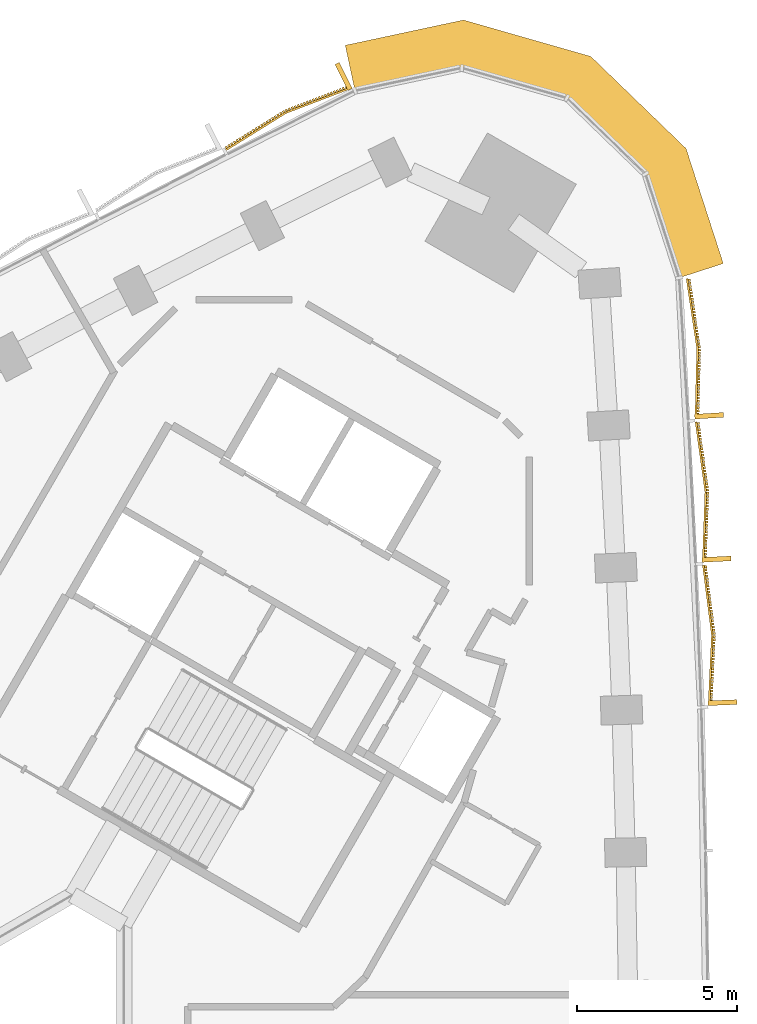
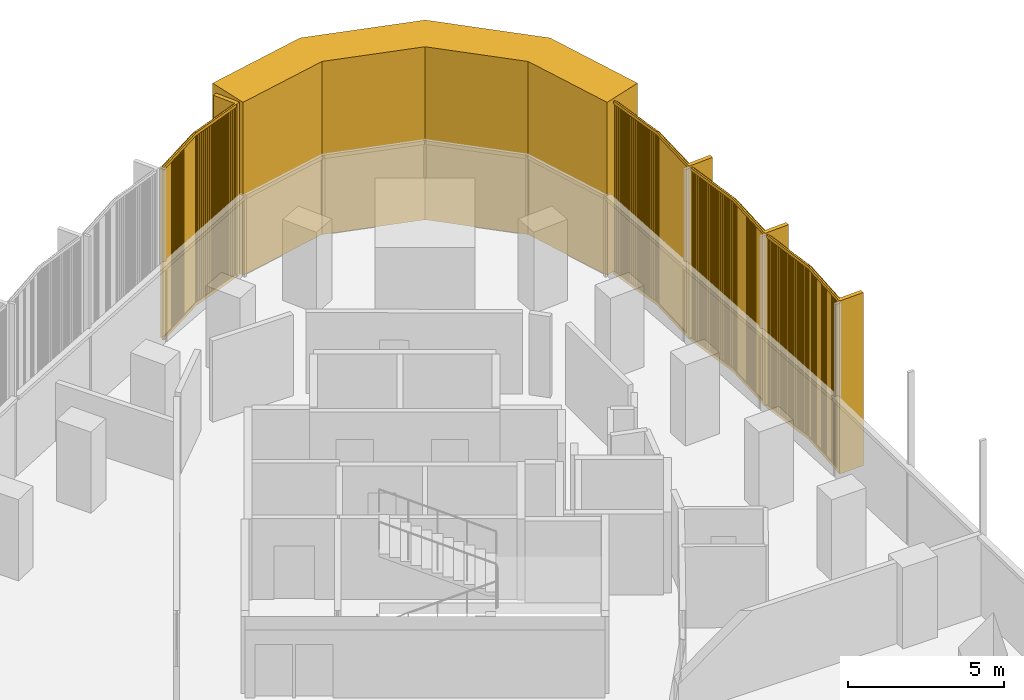
# One storey, part 15 of 15: 5 coverings.
"""IFC4 building model written with IfcOpenShell, lengths in metres."""

from ifc_helpers import new_model, si_unit, direction, frame, frame_2d, origin, place, context, subcontext, project, spatial, polyline, rectangle, outline, extrude, source, transform, mapped, material, layer, layer_set, type_object, element, save


model = new_model("IFC4")

# Units and contexts
model_context = context("Model", 3, precision=1e-05, world=origin(), true_north=direction((0.0, 1.0)))
body_context = subcontext(model_context, "Body", "Model", "MODEL_VIEW")
ifc_project = project(units=[si_unit("LENGTHUNIT", "METRE"), si_unit("AREAUNIT", "SQUARE_METRE"), si_unit("VOLUMEUNIT", "CUBIC_METRE"), si_unit("PLANEANGLEUNIT", "RADIAN"), si_unit("MASSUNIT", "GRAM", prefix="KILO")], contexts=[model_context])

# Site, building, storey
site_placement = place(None, origin())
site = spatial("IfcSite", under=ifc_project, at=site_placement, CompositionType="ELEMENT")
building_placement = place(site_placement, origin())
building = spatial("IfcBuilding", under=site, at=building_placement, Name="Tamra Quay Hotel Tower", CompositionType="ELEMENT")
storey_placement = place(building_placement, frame((0.0, 0.0, 101.0)))
storey = spatial("IfcBuildingStorey", under=building, at=storey_placement, Name="L24", CompositionType="ELEMENT", Elevation=101.0)

# Coverings
ifc_material_1 = material(Name="Precast concrete M60 terracotta-coloured", Category="masonry")
ifc_layer = layer(ifc_material_1, 1.449951171875)
ifc_layer_set = layer_set([ifc_layer], Name="CORNER PIER PANEL")
covering_type_1 = type_object("IfcCoveringType", Name="CORNER PIER PANEL", PredefinedType="CLADDING", material=ifc_layer_set)
covering_1_placement = place(storey_placement, origin())
element("IfcCovering", 1, at=covering_1_placement, inside=storey, type_object=covering_type_1, Name="Corner pier L24.east", PredefinedType="CLADDING", context=body_context, shape_type="SweptSolid", body=[
    extrude(outline(polyline([(22.226318359375, 26.81787109375), (23.60595703125, 27.26416015625), (22.44482421875, 30.853271484375), (19.471923828125, 33.7265625), (15.497314453125, 34.864501953125), (11.808349609375, 34.075439453125), (12.11181640625, 32.657470703125), (15.4462890625, 33.370849609375), (18.724609375, 32.43212890625), (21.1767578125, 30.062255859375), (22.226318359375, 26.81787109375)])), origin(), (0.0, 0.0, 1.0), 6.77490234375),
])
ifc_material_2 = material(Name="Terracotta baguette extruded", Category="masonry")
covering_type_2 = type_object("IfcCoveringType", Name="BAGUETTE SCREEN E-V H6775", PredefinedType="USERDEFINED", material=ifc_material_2)
shared_shape_1 = source(origin(), body_context, "Body", "SweptSolid", [
    extrude(rectangle(XDim=2.200927734375, YDim=0.06005859375, at=frame_2d((1.1005859375, 0.030029296875))), frame((-2.19775390625, -0.057861328125, -0.1201171875), z_axis=(0.0, 0.0, 1.0), x_axis=(0.996194698092, -0.087155742748, 0.0)), (0.0, 0.0, 1.0), 0.1201171875),
    extrude(rectangle(XDim=2.200927734375, YDim=0.06005859375, at=frame_2d((1.1005859375, 0.030029296875))), frame((-2.19775390625, -0.057861328125, -6.77490234375), z_axis=(0.0, 0.0, 1.0), x_axis=(0.996194698092, -0.087155742748, 0.0)), (0.0, 0.0, 1.0), 0.1201171875),
    extrude(rectangle(XDim=0.070068359375, YDim=0.10009765625, at=frame_2d((0.03515625, 0.050048828125))), frame((-2.177734375, -0.13232421875, -6.715087890625)), (0.0, 0.0, 1.0), 6.655029296875),
    extrude(rectangle(XDim=0.070068359375, YDim=0.10009765625, at=frame_2d((0.03515625, 0.050048828125))), frame((-2.078125, -0.14111328125, -6.715087890625)), (0.0, 0.0, 1.0), 6.655029296875),
    extrude(rectangle(XDim=0.070068359375, YDim=0.10009765625, at=frame_2d((0.03515625, 0.050048828125))), frame((-1.978271484375, -0.14990234375, -6.715087890625)), (0.0, 0.0, 1.0), 6.655029296875),
    extrude(rectangle(XDim=0.070068359375, YDim=0.10009765625, at=frame_2d((0.03515625, 0.050048828125))), frame((-1.878662109375, -0.158447265625, -6.715087890625)), (0.0, 0.0, 1.0), 6.655029296875),
    extrude(rectangle(XDim=0.070068359375, YDim=0.10009765625, at=frame_2d((0.03515625, 0.050048828125))), frame((-1.779052734375, -0.167236328125, -6.715087890625)), (0.0, 0.0, 1.0), 6.655029296875),
    extrude(rectangle(XDim=0.070068359375, YDim=0.10009765625, at=frame_2d((0.03515625, 0.050048828125))), frame((-1.679443359375, -0.176025390625, -6.715087890625)), (0.0, 0.0, 1.0), 6.655029296875),
    extrude(rectangle(XDim=0.070068359375, YDim=0.10009765625, at=frame_2d((0.03515625, 0.050048828125))), frame((-1.579833984375, -0.1845703125, -6.715087890625)), (0.0, 0.0, 1.0), 6.655029296875),
    extrude(rectangle(XDim=0.070068359375, YDim=0.10009765625, at=frame_2d((0.03515625, 0.050048828125))), frame((-1.47998046875, -0.193359375, -6.715087890625)), (0.0, 0.0, 1.0), 6.655029296875),
    extrude(rectangle(XDim=0.070068359375, YDim=0.10009765625, at=frame_2d((0.03515625, 0.050048828125))), frame((-1.38037109375, -0.2021484375, -6.715087890625)), (0.0, 0.0, 1.0), 6.655029296875),
    extrude(rectangle(XDim=0.070068359375, YDim=0.10009765625, at=frame_2d((0.03515625, 0.050048828125))), frame((-1.28076171875, -0.2109375, -6.715087890625)), (0.0, 0.0, 1.0), 6.655029296875),
    extrude(rectangle(XDim=0.070068359375, YDim=0.10009765625, at=frame_2d((0.03515625, 0.050048828125))), frame((-1.18115234375, -0.219482421875, -6.715087890625)), (0.0, 0.0, 1.0), 6.655029296875),
    extrude(rectangle(XDim=0.070068359375, YDim=0.10009765625, at=frame_2d((0.03515625, 0.050048828125))), frame((-1.081298828125, -0.228271484375, -6.715087890625)), (0.0, 0.0, 1.0), 6.655029296875),
    extrude(rectangle(XDim=0.070068359375, YDim=0.10009765625, at=frame_2d((0.03515625, 0.050048828125))), frame((-0.981689453125, -0.237060546875, -6.715087890625)), (0.0, 0.0, 1.0), 6.655029296875),
    extrude(rectangle(XDim=0.070068359375, YDim=0.10009765625, at=frame_2d((0.03515625, 0.050048828125))), frame((-0.882080078125, -0.24560546875, -6.715087890625)), (0.0, 0.0, 1.0), 6.655029296875),
    extrude(rectangle(XDim=0.070068359375, YDim=0.10009765625, at=frame_2d((0.03515625, 0.050048828125))), frame((-0.782470703125, -0.25439453125, -6.715087890625)), (0.0, 0.0, 1.0), 6.655029296875),
    extrude(rectangle(XDim=0.070068359375, YDim=0.10009765625, at=frame_2d((0.03515625, 0.050048828125))), frame((-0.682861328125, -0.26318359375, -6.715087890625)), (0.0, 0.0, 1.0), 6.655029296875),
    extrude(rectangle(XDim=0.070068359375, YDim=0.10009765625, at=frame_2d((0.03515625, 0.050048828125))), frame((-0.583251953125, -0.27197265625, -6.715087890625)), (0.0, 0.0, 1.0), 6.655029296875),
    extrude(rectangle(XDim=0.070068359375, YDim=0.10009765625, at=frame_2d((0.03515625, 0.050048828125))), frame((-0.4833984375, -0.280517578125, -6.715087890625)), (0.0, 0.0, 1.0), 6.655029296875),
    extrude(rectangle(XDim=0.070068359375, YDim=0.10009765625, at=frame_2d((0.03515625, 0.050048828125))), frame((-0.3837890625, -0.289306640625, -6.715087890625)), (0.0, 0.0, 1.0), 6.655029296875),
    extrude(rectangle(XDim=0.070068359375, YDim=0.10009765625, at=frame_2d((0.03515625, 0.050048828125))), frame((-0.2841796875, -0.298095703125, -6.715087890625)), (0.0, 0.0, 1.0), 6.655029296875),
    extrude(rectangle(XDim=0.070068359375, YDim=0.10009765625, at=frame_2d((0.03515625, 0.050048828125))), frame((-0.1845703125, -0.306640625, -6.715087890625)), (0.0, 0.0, 1.0), 6.655029296875),
    extrude(rectangle(XDim=0.070068359375, YDim=0.10009765625, at=frame_2d((0.03515625, 0.050048828125))), frame((-0.084716796875, -0.3154296875, -6.715087890625)), (0.0, 0.0, 1.0), 6.655029296875),
    extrude(rectangle(XDim=2.200927734375, YDim=0.06005859375, at=frame_2d((1.1005859375, 0.030029296875))), frame((0.005126953125, -0.24951171875, -0.1201171875), z_axis=(0.0, 0.0, 1.0), x_axis=(0.996194698092, 0.087155742748, 0.0)), (0.0, 0.0, 1.0), 0.1201171875),
    extrude(rectangle(XDim=2.200927734375, YDim=0.06005859375, at=frame_2d((1.1005859375, 0.030029296875))), frame((0.005126953125, -0.24951171875, -6.77490234375), z_axis=(0.0, 0.0, 1.0), x_axis=(0.996194698092, 0.087155742748, 0.0)), (0.0, 0.0, 1.0), 0.1201171875),
    extrude(rectangle(XDim=0.070068359375, YDim=0.10009765625, at=frame_2d((0.03515625, 0.050048828125))), frame((0.014892578125, -0.3154296875, -6.715087890625)), (0.0, 0.0, 1.0), 6.655029296875),
    extrude(rectangle(XDim=0.070068359375, YDim=0.10009765625, at=frame_2d((0.03515625, 0.050048828125))), frame((0.114501953125, -0.306640625, -6.715087890625)), (0.0, 0.0, 1.0), 6.655029296875),
    extrude(rectangle(XDim=0.070068359375, YDim=0.10009765625, at=frame_2d((0.03515625, 0.050048828125))), frame((0.214111328125, -0.298095703125, -6.715087890625)), (0.0, 0.0, 1.0), 6.655029296875),
    extrude(rectangle(XDim=0.070068359375, YDim=0.10009765625, at=frame_2d((0.03515625, 0.050048828125))), frame((0.313720703125, -0.289306640625, -6.715087890625)), (0.0, 0.0, 1.0), 6.655029296875),
    extrude(rectangle(XDim=0.070068359375, YDim=0.10009765625, at=frame_2d((0.03515625, 0.050048828125))), frame((0.41357421875, -0.280517578125, -6.715087890625)), (0.0, 0.0, 1.0), 6.655029296875),
    extrude(rectangle(XDim=0.070068359375, YDim=0.10009765625, at=frame_2d((0.03515625, 0.050048828125))), frame((0.51318359375, -0.27197265625, -6.715087890625)), (0.0, 0.0, 1.0), 6.655029296875),
    extrude(rectangle(XDim=0.070068359375, YDim=0.10009765625, at=frame_2d((0.03515625, 0.050048828125))), frame((0.61279296875, -0.26318359375, -6.715087890625)), (0.0, 0.0, 1.0), 6.655029296875),
    extrude(rectangle(XDim=0.070068359375, YDim=0.10009765625, at=frame_2d((0.03515625, 0.050048828125))), frame((0.71240234375, -0.25439453125, -6.715087890625)), (0.0, 0.0, 1.0), 6.655029296875),
    extrude(rectangle(XDim=0.070068359375, YDim=0.10009765625, at=frame_2d((0.03515625, 0.050048828125))), frame((0.81201171875, -0.24560546875, -6.715087890625)), (0.0, 0.0, 1.0), 6.655029296875),
    extrude(rectangle(XDim=0.070068359375, YDim=0.10009765625, at=frame_2d((0.03515625, 0.050048828125))), frame((0.911865234375, -0.237060546875, -6.715087890625)), (0.0, 0.0, 1.0), 6.655029296875),
    extrude(rectangle(XDim=0.070068359375, YDim=0.10009765625, at=frame_2d((0.03515625, 0.050048828125))), frame((1.011474609375, -0.228271484375, -6.715087890625)), (0.0, 0.0, 1.0), 6.655029296875),
    extrude(rectangle(XDim=0.070068359375, YDim=0.10009765625, at=frame_2d((0.03515625, 0.050048828125))), frame((1.111083984375, -0.219482421875, -6.715087890625)), (0.0, 0.0, 1.0), 6.655029296875),
    extrude(rectangle(XDim=0.070068359375, YDim=0.10009765625, at=frame_2d((0.03515625, 0.050048828125))), frame((1.210693359375, -0.2109375, -6.715087890625)), (0.0, 0.0, 1.0), 6.655029296875),
    extrude(rectangle(XDim=0.070068359375, YDim=0.10009765625, at=frame_2d((0.03515625, 0.050048828125))), frame((1.310302734375, -0.2021484375, -6.715087890625)), (0.0, 0.0, 1.0), 6.655029296875),
    extrude(rectangle(XDim=0.070068359375, YDim=0.10009765625, at=frame_2d((0.03515625, 0.050048828125))), frame((1.41015625, -0.193359375, -6.715087890625)), (0.0, 0.0, 1.0), 6.655029296875),
    extrude(rectangle(XDim=0.070068359375, YDim=0.10009765625, at=frame_2d((0.03515625, 0.050048828125))), frame((1.509765625, -0.1845703125, -6.715087890625)), (0.0, 0.0, 1.0), 6.655029296875),
    extrude(rectangle(XDim=0.070068359375, YDim=0.10009765625, at=frame_2d((0.03515625, 0.050048828125))), frame((1.609375, -0.176025390625, -6.715087890625)), (0.0, 0.0, 1.0), 6.655029296875),
    extrude(rectangle(XDim=0.070068359375, YDim=0.10009765625, at=frame_2d((0.03515625, 0.050048828125))), frame((1.708984375, -0.167236328125, -6.715087890625)), (0.0, 0.0, 1.0), 6.655029296875),
    extrude(rectangle(XDim=0.070068359375, YDim=0.10009765625, at=frame_2d((0.03515625, 0.050048828125))), frame((1.80859375, -0.158447265625, -6.715087890625)), (0.0, 0.0, 1.0), 6.655029296875),
    extrude(rectangle(XDim=0.070068359375, YDim=0.10009765625, at=frame_2d((0.03515625, 0.050048828125))), frame((1.908447265625, -0.14990234375, -6.715087890625)), (0.0, 0.0, 1.0), 6.655029296875),
    extrude(rectangle(XDim=0.070068359375, YDim=0.10009765625, at=frame_2d((0.03515625, 0.050048828125))), frame((2.008056640625, -0.14111328125, -6.715087890625)), (0.0, 0.0, 1.0), 6.655029296875),
    extrude(rectangle(XDim=0.070068359375, YDim=0.10009765625, at=frame_2d((0.03515625, 0.050048828125))), frame((2.107666015625, -0.13232421875, -6.715087890625)), (0.0, 0.0, 1.0), 6.655029296875),
    extrude(rectangle(XDim=0.14990234375, YDim=0.902099609375, at=frame_2d((0.074951171875, 0.451171875))), frame((-2.1923828125, -0.89990234375, -6.77490234375)), (0.0, 0.0, 1.0), 6.77490234375),
])
for number, where, z_axis, x_axis, name in (
    (2, (23.04345703125, 15.66064453125, 6.77490234375), (0.0, 0.0, 1.0), (-0.039943885581, 0.99920192454, 0.0), "Baguette screen L24.E.f09"),
    (3, (22.839111328125, 20.131591796875, 6.77490234375), (0.0, 0.0, 1.0), (-0.051320736558, 0.998682222731, 0.0), "Baguette screen L24.E.f10"),
    (4, (22.583984375, 24.599609375, 6.77490234375), (0.0, 0.0, 1.0), (-0.062669917068, 0.998034308776, 0.0), "Baguette screen L24.E.f11"),
):
    element("IfcCovering", number, at=place(storey_placement, frame(where, z_axis=z_axis, x_axis=x_axis)), inside=storey, type_object=covering_type_2, Name=name, ObjectType="BAGUETTE SCREEN", PredefinedType="USERDEFINED", context=body_context, shape_type="MappedRepresentation", body=[
        mapped(shared_shape_1, transform((0.0, 0.0, 0.0), scale=1.0)),
    ])
covering_type_3 = type_object("IfcCoveringType", Name="BAGUETTE SCREEN NW-V H6775", PredefinedType="USERDEFINED", material=ifc_material_2)
shared_shape_2 = source(origin(), body_context, "Body", "SweptSolid", [
    extrude(rectangle(XDim=2.20263671875, YDim=0.06005859375, at=frame_2d((1.101318359375, 0.030029296875))), frame((-2.1982421875, -0.0576171875, -0.1201171875), z_axis=(0.0, 0.0, 1.0), x_axis=(0.995396198367, -0.09584575252, 0.0)), (0.0, 0.0, 1.0), 0.1201171875),
    extrude(rectangle(XDim=2.20263671875, YDim=0.06005859375, at=frame_2d((1.101318359375, 0.030029296875))), frame((-2.1982421875, -0.0576171875, -6.77490234375), z_axis=(0.0, 0.0, 1.0), x_axis=(0.995396198367, -0.09584575252, 0.0)), (0.0, 0.0, 1.0), 0.1201171875),
    extrude(rectangle(XDim=0.070068359375, YDim=0.10009765625, at=frame_2d((0.03515625, 0.050048828125))), frame((-2.177734375, -0.1328125, -6.715087890625)), (0.0, 0.0, 1.0), 6.655029296875),
    extrude(rectangle(XDim=0.070068359375, YDim=0.10009765625, at=frame_2d((0.03515625, 0.050048828125))), frame((-2.078125, -0.142333984375, -6.715087890625)), (0.0, 0.0, 1.0), 6.655029296875),
    extrude(rectangle(XDim=0.070068359375, YDim=0.10009765625, at=frame_2d((0.03515625, 0.050048828125))), frame((-1.978271484375, -0.152099609375, -6.715087890625)), (0.0, 0.0, 1.0), 6.655029296875),
    extrude(rectangle(XDim=0.070068359375, YDim=0.10009765625, at=frame_2d((0.03515625, 0.050048828125))), frame((-1.878662109375, -0.16162109375, -6.715087890625)), (0.0, 0.0, 1.0), 6.655029296875),
    extrude(rectangle(XDim=0.070068359375, YDim=0.10009765625, at=frame_2d((0.03515625, 0.050048828125))), frame((-1.779052734375, -0.171142578125, -6.715087890625)), (0.0, 0.0, 1.0), 6.655029296875),
    extrude(rectangle(XDim=0.070068359375, YDim=0.10009765625, at=frame_2d((0.03515625, 0.050048828125))), frame((-1.679443359375, -0.1806640625, -6.715087890625)), (0.0, 0.0, 1.0), 6.655029296875),
    extrude(rectangle(XDim=0.070068359375, YDim=0.10009765625, at=frame_2d((0.03515625, 0.050048828125))), frame((-1.579833984375, -0.1904296875, -6.715087890625)), (0.0, 0.0, 1.0), 6.655029296875),
    extrude(rectangle(XDim=0.070068359375, YDim=0.10009765625, at=frame_2d((0.03515625, 0.050048828125))), frame((-1.47998046875, -0.199951171875, -6.715087890625)), (0.0, 0.0, 1.0), 6.655029296875),
    extrude(rectangle(XDim=0.070068359375, YDim=0.10009765625, at=frame_2d((0.03515625, 0.050048828125))), frame((-1.38037109375, -0.20947265625, -6.715087890625)), (0.0, 0.0, 1.0), 6.655029296875),
    extrude(rectangle(XDim=0.070068359375, YDim=0.10009765625, at=frame_2d((0.03515625, 0.050048828125))), frame((-1.28076171875, -0.21923828125, -6.715087890625)), (0.0, 0.0, 1.0), 6.655029296875),
    extrude(rectangle(XDim=0.070068359375, YDim=0.10009765625, at=frame_2d((0.03515625, 0.050048828125))), frame((-1.18115234375, -0.228759765625, -6.715087890625)), (0.0, 0.0, 1.0), 6.655029296875),
    extrude(rectangle(XDim=0.070068359375, YDim=0.10009765625, at=frame_2d((0.03515625, 0.050048828125))), frame((-1.081298828125, -0.23828125, -6.715087890625)), (0.0, 0.0, 1.0), 6.655029296875),
    extrude(rectangle(XDim=0.070068359375, YDim=0.10009765625, at=frame_2d((0.03515625, 0.050048828125))), frame((-0.981689453125, -0.248046875, -6.715087890625)), (0.0, 0.0, 1.0), 6.655029296875),
    extrude(rectangle(XDim=0.070068359375, YDim=0.10009765625, at=frame_2d((0.03515625, 0.050048828125))), frame((-0.882080078125, -0.257568359375, -6.715087890625)), (0.0, 0.0, 1.0), 6.655029296875),
    extrude(rectangle(XDim=0.070068359375, YDim=0.10009765625, at=frame_2d((0.03515625, 0.050048828125))), frame((-0.782470703125, -0.26708984375, -6.715087890625)), (0.0, 0.0, 1.0), 6.655029296875),
    extrude(rectangle(XDim=0.070068359375, YDim=0.10009765625, at=frame_2d((0.03515625, 0.050048828125))), frame((-0.682861328125, -0.27685546875, -6.715087890625)), (0.0, 0.0, 1.0), 6.655029296875),
    extrude(rectangle(XDim=0.070068359375, YDim=0.10009765625, at=frame_2d((0.03515625, 0.050048828125))), frame((-0.583251953125, -0.286376953125, -6.715087890625)), (0.0, 0.0, 1.0), 6.655029296875),
    extrude(rectangle(XDim=0.070068359375, YDim=0.10009765625, at=frame_2d((0.03515625, 0.050048828125))), frame((-0.4833984375, -0.2958984375, -6.715087890625)), (0.0, 0.0, 1.0), 6.655029296875),
    extrude(rectangle(XDim=0.070068359375, YDim=0.10009765625, at=frame_2d((0.03515625, 0.050048828125))), frame((-0.3837890625, -0.305419921875, -6.715087890625)), (0.0, 0.0, 1.0), 6.655029296875),
    extrude(rectangle(XDim=0.070068359375, YDim=0.10009765625, at=frame_2d((0.03515625, 0.050048828125))), frame((-0.2841796875, -0.315185546875, -6.715087890625)), (0.0, 0.0, 1.0), 6.655029296875),
    extrude(rectangle(XDim=0.070068359375, YDim=0.10009765625, at=frame_2d((0.03515625, 0.050048828125))), frame((-0.1845703125, -0.32470703125, -6.715087890625)), (0.0, 0.0, 1.0), 6.655029296875),
    extrude(rectangle(XDim=0.070068359375, YDim=0.10009765625, at=frame_2d((0.03515625, 0.050048828125))), frame((-0.084716796875, -0.334228515625, -6.715087890625)), (0.0, 0.0, 1.0), 6.655029296875),
    extrude(rectangle(XDim=2.20263671875, YDim=0.06005859375, at=frame_2d((1.101318359375, 0.030029296875))), frame((0.005859375, -0.268798828125, -0.1201171875), z_axis=(0.0, 0.0, 1.0), x_axis=(0.995396198367, 0.09584575252, 0.0)), (0.0, 0.0, 1.0), 0.1201171875),
    extrude(rectangle(XDim=2.20263671875, YDim=0.06005859375, at=frame_2d((1.101318359375, 0.030029296875))), frame((0.005859375, -0.268798828125, -6.77490234375), z_axis=(0.0, 0.0, 1.0), x_axis=(0.995396198367, 0.09584575252, 0.0)), (0.0, 0.0, 1.0), 0.1201171875),
    extrude(rectangle(XDim=0.070068359375, YDim=0.10009765625, at=frame_2d((0.03515625, 0.050048828125))), frame((0.014892578125, -0.334228515625, -6.715087890625)), (0.0, 0.0, 1.0), 6.655029296875),
    extrude(rectangle(XDim=0.070068359375, YDim=0.10009765625, at=frame_2d((0.03515625, 0.050048828125))), frame((0.114501953125, -0.32470703125, -6.715087890625)), (0.0, 0.0, 1.0), 6.655029296875),
    extrude(rectangle(XDim=0.070068359375, YDim=0.10009765625, at=frame_2d((0.03515625, 0.050048828125))), frame((0.214111328125, -0.315185546875, -6.715087890625)), (0.0, 0.0, 1.0), 6.655029296875),
    extrude(rectangle(XDim=0.070068359375, YDim=0.10009765625, at=frame_2d((0.03515625, 0.050048828125))), frame((0.313720703125, -0.305419921875, -6.715087890625)), (0.0, 0.0, 1.0), 6.655029296875),
    extrude(rectangle(XDim=0.070068359375, YDim=0.10009765625, at=frame_2d((0.03515625, 0.050048828125))), frame((0.41357421875, -0.2958984375, -6.715087890625)), (0.0, 0.0, 1.0), 6.655029296875),
    extrude(rectangle(XDim=0.070068359375, YDim=0.10009765625, at=frame_2d((0.03515625, 0.050048828125))), frame((0.51318359375, -0.286376953125, -6.715087890625)), (0.0, 0.0, 1.0), 6.655029296875),
    extrude(rectangle(XDim=0.070068359375, YDim=0.10009765625, at=frame_2d((0.03515625, 0.050048828125))), frame((0.61279296875, -0.27685546875, -6.715087890625)), (0.0, 0.0, 1.0), 6.655029296875),
    extrude(rectangle(XDim=0.070068359375, YDim=0.10009765625, at=frame_2d((0.03515625, 0.050048828125))), frame((0.71240234375, -0.26708984375, -6.715087890625)), (0.0, 0.0, 1.0), 6.655029296875),
    extrude(rectangle(XDim=0.070068359375, YDim=0.10009765625, at=frame_2d((0.03515625, 0.050048828125))), frame((0.81201171875, -0.257568359375, -6.715087890625)), (0.0, 0.0, 1.0), 6.655029296875),
    extrude(rectangle(XDim=0.070068359375, YDim=0.10009765625, at=frame_2d((0.03515625, 0.050048828125))), frame((0.911865234375, -0.248046875, -6.715087890625)), (0.0, 0.0, 1.0), 6.655029296875),
    extrude(rectangle(XDim=0.070068359375, YDim=0.10009765625, at=frame_2d((0.03515625, 0.050048828125))), frame((1.011474609375, -0.23828125, -6.715087890625)), (0.0, 0.0, 1.0), 6.655029296875),
    extrude(rectangle(XDim=0.070068359375, YDim=0.10009765625, at=frame_2d((0.03515625, 0.050048828125))), frame((1.111083984375, -0.228759765625, -6.715087890625)), (0.0, 0.0, 1.0), 6.655029296875),
    extrude(rectangle(XDim=0.070068359375, YDim=0.10009765625, at=frame_2d((0.03515625, 0.050048828125))), frame((1.210693359375, -0.21923828125, -6.715087890625)), (0.0, 0.0, 1.0), 6.655029296875),
    extrude(rectangle(XDim=0.070068359375, YDim=0.10009765625, at=frame_2d((0.03515625, 0.050048828125))), frame((1.310302734375, -0.20947265625, -6.715087890625)), (0.0, 0.0, 1.0), 6.655029296875),
    extrude(rectangle(XDim=0.070068359375, YDim=0.10009765625, at=frame_2d((0.03515625, 0.050048828125))), frame((1.41015625, -0.199951171875, -6.715087890625)), (0.0, 0.0, 1.0), 6.655029296875),
    extrude(rectangle(XDim=0.070068359375, YDim=0.10009765625, at=frame_2d((0.03515625, 0.050048828125))), frame((1.509765625, -0.1904296875, -6.715087890625)), (0.0, 0.0, 1.0), 6.655029296875),
    extrude(rectangle(XDim=0.070068359375, YDim=0.10009765625, at=frame_2d((0.03515625, 0.050048828125))), frame((1.609375, -0.1806640625, -6.715087890625)), (0.0, 0.0, 1.0), 6.655029296875),
    extrude(rectangle(XDim=0.070068359375, YDim=0.10009765625, at=frame_2d((0.03515625, 0.050048828125))), frame((1.708984375, -0.171142578125, -6.715087890625)), (0.0, 0.0, 1.0), 6.655029296875),
    extrude(rectangle(XDim=0.070068359375, YDim=0.10009765625, at=frame_2d((0.03515625, 0.050048828125))), frame((1.80859375, -0.16162109375, -6.715087890625)), (0.0, 0.0, 1.0), 6.655029296875),
    extrude(rectangle(XDim=0.070068359375, YDim=0.10009765625, at=frame_2d((0.03515625, 0.050048828125))), frame((1.908447265625, -0.152099609375, -6.715087890625)), (0.0, 0.0, 1.0), 6.655029296875),
    extrude(rectangle(XDim=0.070068359375, YDim=0.10009765625, at=frame_2d((0.03515625, 0.050048828125))), frame((2.008056640625, -0.142333984375, -6.715087890625)), (0.0, 0.0, 1.0), 6.655029296875),
    extrude(rectangle(XDim=0.070068359375, YDim=0.10009765625, at=frame_2d((0.03515625, 0.050048828125))), frame((2.107666015625, -0.1328125, -6.715087890625)), (0.0, 0.0, 1.0), 6.655029296875),
    extrude(rectangle(XDim=0.14990234375, YDim=0.902099609375, at=frame_2d((0.074951171875, 0.451171875))), frame((-2.1923828125, -0.89990234375, -6.77490234375)), (0.0, 0.0, 1.0), 6.77490234375),
])
covering_2_placement = place(storey_placement, frame((10.060791015625, 31.759765625, 6.77490234375), z_axis=(0.0, 0.0, 1.0), x_axis=(-0.895658023783, -0.444743414154, 0.0)))
element("IfcCovering", 5, at=covering_2_placement, inside=storey, type_object=covering_type_3, Name="Baguette screen L24.NW.f00", ObjectType="BAGUETTE SCREEN", PredefinedType="USERDEFINED", context=body_context, shape_type="MappedRepresentation", body=[
    mapped(shared_shape_2, transform((0.0, 0.0, 0.0), scale=1.0)),
])

save(model, "model.ifc")
